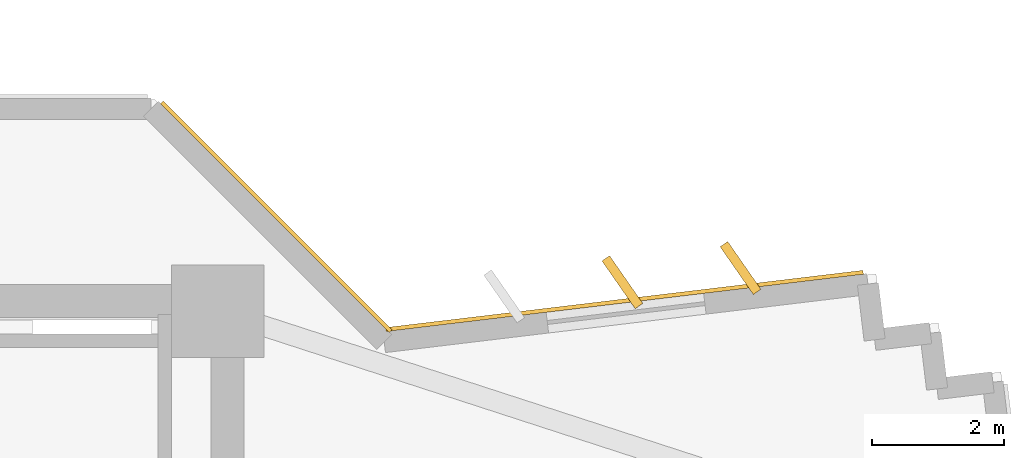
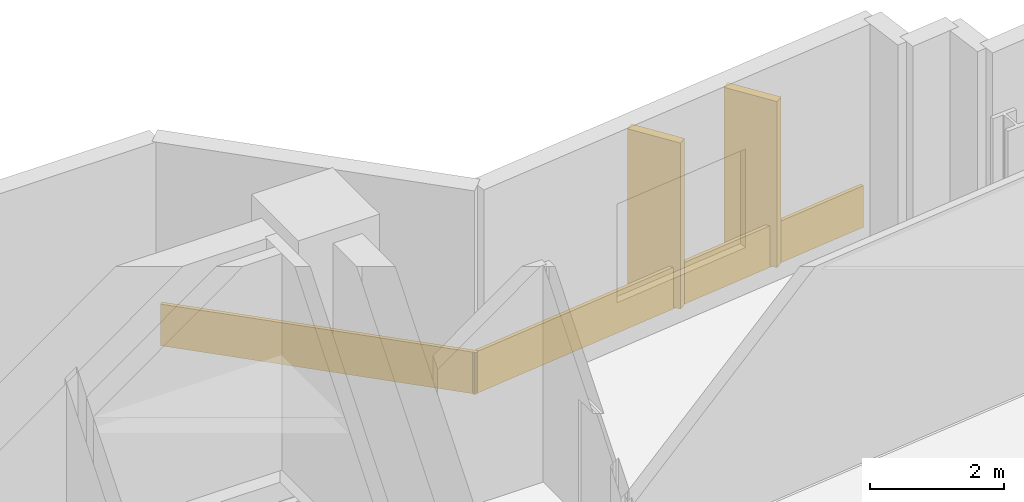
# One storey, part 15 of 15: 4 coverings.
"""IFC4 building model written with IfcOpenShell, lengths in metres."""

from ifc_helpers import new_model, si_unit, direction, frame, origin, origin_2d, place, context, subcontext, project, spatial, rectangle, extrude, source, transform, mapped, material, layer, layer_set, type_object, element, save


model = new_model("IFC4")

# Units and contexts
model_context = context("Model", 3, precision=1e-05, world=origin(), true_north=direction((0.0, 1.0)))
body_context = subcontext(model_context, "Body", "Model", "MODEL_VIEW")
ifc_project = project(units=[si_unit("LENGTHUNIT", "METRE"), si_unit("AREAUNIT", "SQUARE_METRE"), si_unit("VOLUMEUNIT", "CUBIC_METRE"), si_unit("PLANEANGLEUNIT", "RADIAN"), si_unit("MASSUNIT", "GRAM", prefix="KILO")], contexts=[model_context])

# Site, building, storey
site_placement = place(None, origin())
site = spatial("IfcSite", under=ifc_project, at=site_placement, CompositionType="ELEMENT")
building_placement = place(site_placement, origin())
building = spatial("IfcBuilding", under=site, at=building_placement, Name="Zahravan Cultural Tower", CompositionType="ELEMENT")
storey_placement = place(building_placement, frame((0.0, 0.0, 104.699951171875)))
storey = spatial("IfcBuildingStorey", under=building, at=storey_placement, Name="L23", CompositionType="ELEMENT", Elevation=104.699951171875)

# Coverings
ifc_material = material(Name="Terracotta ceramic cladding", Category="masonry")
ifc_layer = layer(ifc_material, 0.06005859375)
ifc_layer_set = layer_set([ifc_layer], Name="Terracotta ceramic cladding")
covering_type = type_object("IfcCoveringType", Name="COV-CLAD-TC60", PredefinedType="CLADDING", material=ifc_layer_set)
shared_shape_1 = source(origin(), body_context, "Body", "SweptSolid", [
    extrude(rectangle(XDim=0.8798828125, YDim=0.139892578125, at=origin_2d()), origin(), (0.0, 0.0, 1.0), 3.030029296875),
])
for number, where, z_axis, x_axis, name in (
    (1, (56.47314453125, 36.636962890625, 0.0498046875), (0.0, 0.0, 1.0), (-0.571286698852, 0.820750575823, 0.0), "L23 Herringbone Terracotta Fin 02"),
    (2, (58.260498046875, 36.851318359375, 0.0498046875), (0.0, 0.0, 1.0), (-0.571286698852, 0.820750575823, 0.0), "L23 Herringbone Terracotta Fin 03"),
):
    element("IfcCovering", number, at=place(storey_placement, frame(where, z_axis=z_axis, x_axis=x_axis)), inside=storey, type_object=covering_type, Name=name, PredefinedType="CLADDING", context=body_context, shape_type="MappedRepresentation", body=[
        mapped(shared_shape_1, transform((0.0, 0.0, 0.0), x_axis=(1.0, 0.0, 0.0), y_axis=(0.0, 1.0, 0.0), z_axis=(0.0, 0.0, 1.0), scale=1.0)),
    ])
shared_shape_2 = source(origin(), body_context, "Body", "SweptSolid", [
    extrude(rectangle(XDim=7.269775390625, YDim=0.06005859375, at=origin_2d()), origin(), (0.0, 0.0, 1.0), 0.760009765625),
])
covering_1_placement = place(storey_placement, frame((56.507080078125, 36.35400390625, 0.02001953125), z_axis=(0.0, 0.0, 1.0), x_axis=(0.99288260457, 0.119097160095, 0.0)))
element("IfcCovering", 3, at=covering_1_placement, inside=storey, type_object=covering_type, Name="L23 Terracotta Spandrel Cladding 01", PredefinedType="CLADDING", context=body_context, shape_type="MappedRepresentation", body=[
    mapped(shared_shape_2, transform((0.0, 0.0, 0.0), x_axis=(1.0, 0.0, 0.0), y_axis=(0.0, 1.0, 0.0), z_axis=(0.0, 0.0, 1.0), scale=1.0)),
])
shared_shape_3 = source(origin(), body_context, "Body", "SweptSolid", [
    extrude(rectangle(XDim=4.89013671875, YDim=0.06005859375, at=origin_2d()), origin(), (0.0, 0.0, 1.0), 0.760009765625),
])
covering_2_placement = place(storey_placement, frame((51.237060546875, 37.62646484375, 0.02001953125), z_axis=(0.0, 0.0, 1.0), x_axis=(0.707106781187, -0.707106781187, 0.0)))
element("IfcCovering", 4, at=covering_2_placement, inside=storey, type_object=covering_type, Name="L23 Terracotta Spandrel Cladding 52", PredefinedType="CLADDING", context=body_context, shape_type="MappedRepresentation", body=[
    mapped(shared_shape_3, transform((0.0, 0.0, 0.0), x_axis=(1.0, 0.0, 0.0), y_axis=(0.0, 1.0, 0.0), z_axis=(0.0, 0.0, 1.0), scale=1.0)),
])

save(model, "model.ifc")
